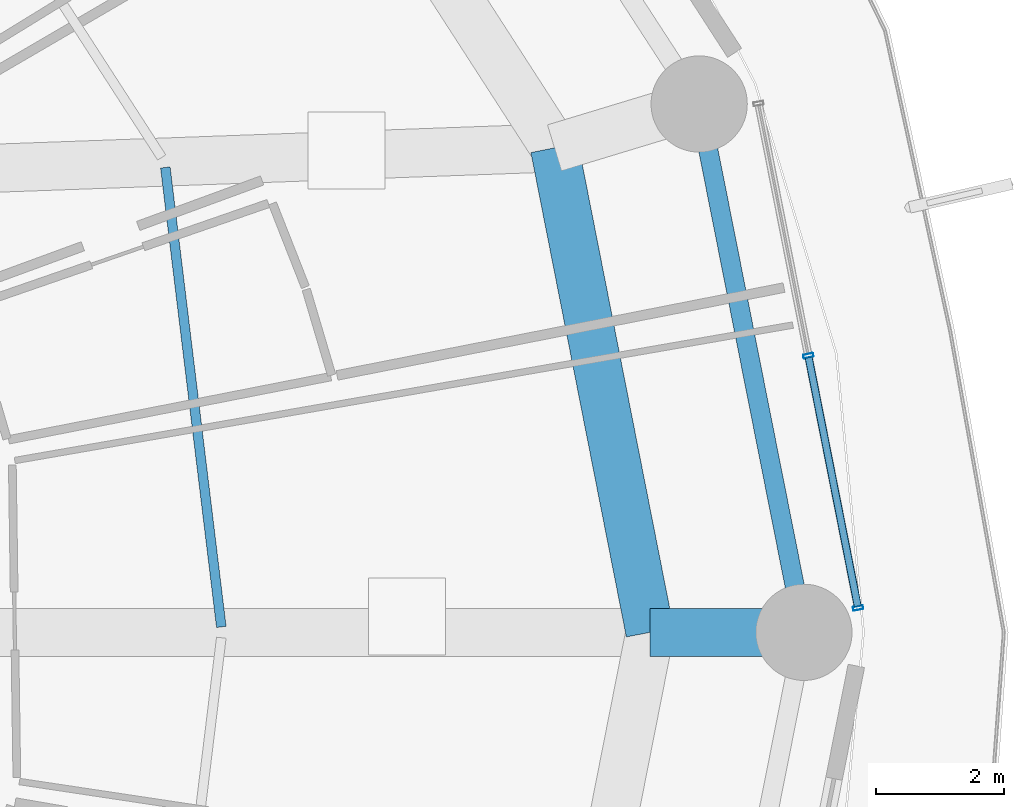
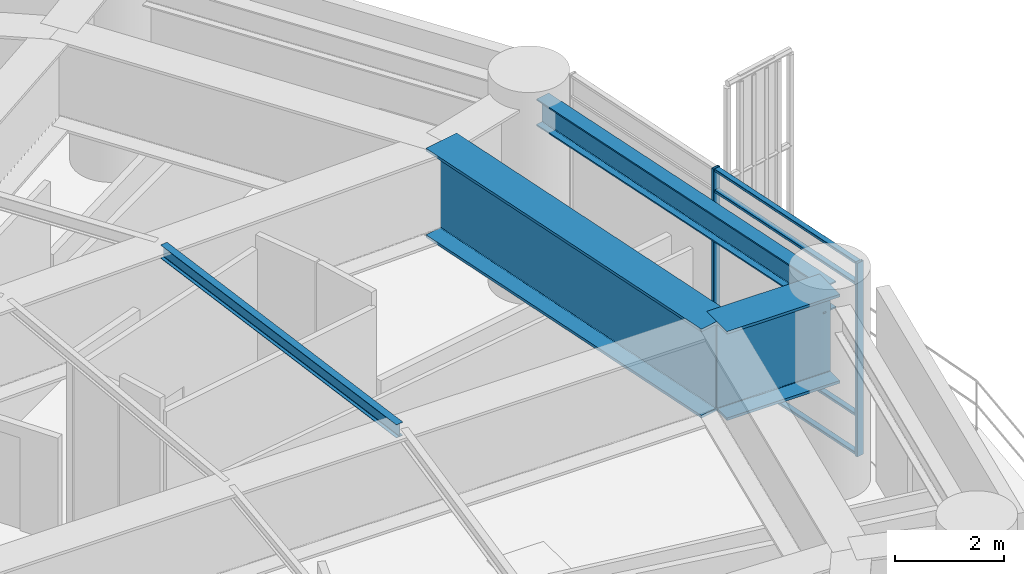
# One storey, part 13 of 31: 6 members, 4 beams, 1 element without a shape of its own.
"""IFC4 building model written with IfcOpenShell, lengths in metres."""

from ifc_helpers import new_model, si_unit, direction, frame, origin, origin_2d, place, context, subcontext, project, spatial, hollow_rectangle, i_section, extrude, material, layer, layer_set, material_profile, profile_set, type_object, element, aggregate, save


model = new_model("IFC4")

# Units and contexts
model_context = context("Model", 3, precision=1e-05, world=origin(), true_north=direction((0.0, 1.0)))
body_context = subcontext(model_context, "Body", "Model", "MODEL_VIEW")
ifc_project = project(units=[si_unit("LENGTHUNIT", "METRE"), si_unit("AREAUNIT", "SQUARE_METRE"), si_unit("VOLUMEUNIT", "CUBIC_METRE"), si_unit("PLANEANGLEUNIT", "RADIAN"), si_unit("MASSUNIT", "GRAM", prefix="KILO")], contexts=[model_context])

# Site, building, storey
site_placement = place(None, origin())
site = spatial("IfcSite", under=ifc_project, at=site_placement, CompositionType="ELEMENT")
building_placement = place(site_placement, origin())
building = spatial("IfcBuilding", under=site, at=building_placement, Name="Kelanora Arch Commons", CompositionType="ELEMENT")
storey_placement = place(building_placement, frame((0.0, 0.0, 67.5)))
storey = spatial("IfcBuildingStorey", under=building, at=storey_placement, Name="L17", CompositionType="ELEMENT", Elevation=67.5)

# Beams
ifc_material_1 = material(Name="Steel S355", Category="steel")
ifc_material_profile_1 = material_profile(ifc_material_1, i_section(OverallWidth=0.14990234375, OverallDepth=0.300048828125, WebThickness=0.007080078125, FlangeThickness=0.0107421875, FilletRadius=0.014892578125, at=origin_2d()), Name="IPE300")
ifc_profile_set_1 = profile_set([ifc_material_profile_1], Name="Steel S355")
beam_type_1 = type_object("IfcBeamType", Name="BM-JST-01", PredefinedType="JOIST", material=ifc_profile_set_1)
beam_1_placement = place(storey_placement, frame((91.997802734375, 58.08447265625, 4.2099609375), z_axis=(-0.120935645266, 0.992660349618, 0.0), x_axis=(-0.992660349618, -0.120935645266, 0.0)))
element("IfcBeam", 1, at=beam_1_placement, inside=storey, type_object=beam_type_1, Name="Secondary Chord Joist BJB-00 L17", PredefinedType="JOIST", context=body_context, shape_type="SweptSolid", body=[
    extrude(i_section(OverallWidth=0.14990234375, OverallDepth=0.300048828125, WebThickness=0.007080078125, FlangeThickness=0.0107421875, FilletRadius=0.014892578125, at=origin_2d()), origin(), (0.0, 0.0, 1.0), 7.215087890625),
])
ifc_material_profile_2 = material_profile(ifc_material_1, i_section(OverallWidth=0.300048828125, OverallDepth=0.60009765625, WebThickness=0.015380859375, FlangeThickness=0.030029296875, FilletRadius=0.027099609375, at=origin_2d()), Name="HEB600")
ifc_profile_set_2 = profile_set([ifc_material_profile_2], Name="Steel S355")
beam_type_2 = type_object("IfcBeamType", Name="BM-SPN-Z1", PredefinedType="SPANDREL", material=ifc_profile_set_2)
beam_2_placement = place(storey_placement, frame((101.080078125, 58.0, 4.06005859375), z_axis=(-0.194522790633, 0.980897998736, 0.0), x_axis=(-0.980897998736, -0.194522790633, 0.0)))
element("IfcBeam", 2, at=beam_2_placement, inside=storey, type_object=beam_type_2, Name="Perimeter Spandrel Beam BS-00 L17", PredefinedType="SPANDREL", context=body_context, shape_type="SweptSolid", body=[
    extrude(i_section(OverallWidth=0.300048828125, OverallDepth=0.60009765625, WebThickness=0.015380859375, FlangeThickness=0.030029296875, FilletRadius=0.027099609375, at=origin_2d()), origin(), (0.0, 0.0, 1.0), 8.01611328125),
])
ifc_material_profile_3 = material_profile(ifc_material_1, i_section(OverallWidth=0.75, OverallDepth=2.0, WebThickness=0.034912109375, FlangeThickness=0.06005859375, FilletRadius=0.028076171875, at=origin_2d()), Name="PG2000x750")
ifc_profile_set_3 = profile_set([ifc_material_profile_3], Name="Steel S355")
beam_type_3 = type_object("IfcBeamType", Name="BM-XFER-SET", PredefinedType="USERDEFINED", material=ifc_profile_set_3)
beam_3_placement = place(storey_placement, frame((98.679931640625, 58.0, 3.360107421875), z_axis=(1.0, 0.0, 0.0), x_axis=(0.0, 1.0, 0.0)))
element("IfcBeam", 3, at=beam_3_placement, inside=storey, type_object=beam_type_3, Name="Radial Floor Girder BR-00 L17", ObjectType="TRANSFER_GIRDER", PredefinedType="USERDEFINED", context=body_context, shape_type="SweptSolid", body=[
    extrude(i_section(OverallWidth=0.75, OverallDepth=2.0, WebThickness=0.034912109375, FlangeThickness=0.06005859375, FilletRadius=0.028076171875, at=origin_2d()), origin(), (0.0, 0.0, 1.0), 2.400146484375),
])
beam_4_placement = place(storey_placement, frame((98.679931640625, 58.0, 3.360107421875), z_axis=(-0.19335825777, 0.981128220037, 0.0), x_axis=(-0.981128220037, -0.19335825777, 0.0)))
element("IfcBeam", 4, at=beam_4_placement, inside=storey, type_object=beam_type_3, Name="Setback Inner Transfer Ring BSI-00 L17", ObjectType="TRANSFER_GIRDER", PredefinedType="USERDEFINED", context=body_context, shape_type="SweptSolid", body=[
    extrude(i_section(OverallWidth=0.75, OverallDepth=2.0, WebThickness=0.034912109375, FlangeThickness=0.06005859375, FilletRadius=0.028076171875, at=origin_2d()), origin(), (0.0, 0.0, 1.0), 7.697021484375),
])

# Curtain wall, members
ifc_material_2 = material(Name="Terracotta ceramic-fritted low-E glass and aluminium", Category="masonry")
ifc_layer = layer(ifc_material_2, 0.159912109375)
ifc_layer_set = layer_set([ifc_layer], Name="Terracotta ceramic-fritted low-E glass and aluminium")
curtain_wall_type = type_object("IfcCurtainWallType", Name="CW-SYS-01", PredefinedType="NOTDEFINED", material=ifc_layer_set)
curtain_wall_placement = place(storey_placement, origin())
curtain_wall = element("IfcCurtainWall", 5, at=curtain_wall_placement, inside=storey, type_object=curtain_wall_type, Name="Unitised Curtain Wall L17-B00", PredefinedType="NOTDEFINED")
ifc_material_3 = material(Name="Powder-coated aluminium terracotta", Category="masonry")
ifc_material_profile_4 = material_profile(ifc_material_3, hollow_rectangle(XDim=0.159912109375, YDim=0.06005859375, WallThickness=0.0048828125, InnerFilletRadius=0.0048828125, OuterFilletRadius=0.010009765625, at=origin_2d()), Name="CWM160x60")
ifc_profile_set_4 = profile_set([ifc_material_profile_4], Name="Powder-coated aluminium terracotta")
member_type_1 = type_object("IfcMemberType", Name="CWM-STD", PredefinedType="MULLION", material=ifc_profile_set_4)
member_1_placement = place(storey_placement, frame((101.925048828125, 58.379150390625, 0.0), z_axis=(0.0, 0.0, 1.0), x_axis=(-0.981052110579, -0.193744048498, 0.0)))
member_1 = element("IfcMember", 6, at=member_1_placement, type_object=member_type_1, Name="CW-01 mullion 1", PredefinedType="MULLION", context=body_context, shape_type="SweptSolid", body=[
    extrude(hollow_rectangle(XDim=0.159912109375, YDim=0.06005859375, WallThickness=0.0048828125, InnerFilletRadius=0.0048828125, OuterFilletRadius=0.010009765625, at=origin_2d()), origin(), (0.0, 0.0, 1.0), 4.344970703125),
])
member_2_placement = place(storey_placement, frame((101.1484375, 62.3115234375, 0.0), z_axis=(0.0, 0.0, 1.0), x_axis=(-0.981052110579, -0.193744048498, 0.0)))
member_2 = element("IfcMember", 7, at=member_2_placement, type_object=member_type_1, Name="CW-01 mullion 2", PredefinedType="MULLION", context=body_context, shape_type="SweptSolid", body=[
    extrude(hollow_rectangle(XDim=0.159912109375, YDim=0.06005859375, WallThickness=0.0048828125, InnerFilletRadius=0.0048828125, OuterFilletRadius=0.010009765625, at=origin_2d()), origin(), (0.0, 0.0, 1.0), 4.344970703125),
])
ifc_material_profile_5 = material_profile(ifc_material_3, hollow_rectangle(XDim=0.1201171875, YDim=0.06005859375, WallThickness=0.0048828125, InnerFilletRadius=0.0048828125, OuterFilletRadius=0.010009765625, at=origin_2d()), Name="CWT120x60")
ifc_profile_set_5 = profile_set([ifc_material_profile_5], Name="Powder-coated aluminium terracotta")
member_type_2 = type_object("IfcMemberType", Name="CWT-STD", PredefinedType="USERDEFINED", material=ifc_profile_set_5)
member_3_placement = place(storey_placement, frame((101.919189453125, 58.408447265625, 0.030029296875), z_axis=(-0.193725436624, 0.98105578598, 0.0), x_axis=(-0.98105578598, -0.193725436624, 0.0)))
member_3 = element("IfcMember", 8, at=member_3_placement, type_object=member_type_2, Name="CW-01 transom 1.1", ObjectType="TRANSOM", PredefinedType="USERDEFINED", context=body_context, shape_type="SweptSolid", body=[
    extrude(hollow_rectangle(XDim=0.1201171875, YDim=0.06005859375, WallThickness=0.0048828125, InnerFilletRadius=0.0048828125, OuterFilletRadius=0.010009765625, at=origin_2d()), origin(), (0.0, 0.0, 1.0), 3.9482421875),
])
member_4_placement = place(storey_placement, frame((101.919189453125, 58.408447265625, 0.89990234375), z_axis=(-0.193725436624, 0.98105578598, 0.0), x_axis=(-0.98105578598, -0.193725436624, 0.0)))
member_4 = element("IfcMember", 9, at=member_4_placement, type_object=member_type_2, Name="CW-01 transom 1.2", ObjectType="TRANSOM", PredefinedType="USERDEFINED", context=body_context, shape_type="SweptSolid", body=[
    extrude(hollow_rectangle(XDim=0.1201171875, YDim=0.06005859375, WallThickness=0.0048828125, InnerFilletRadius=0.0048828125, OuterFilletRadius=0.010009765625, at=origin_2d()), origin(), (0.0, 0.0, 1.0), 3.9482421875),
])
member_5_placement = place(storey_placement, frame((101.919189453125, 58.408447265625, 3.844970703125), z_axis=(-0.193725436624, 0.98105578598, 0.0), x_axis=(-0.98105578598, -0.193725436624, 0.0)))
member_5 = element("IfcMember", 10, at=member_5_placement, type_object=member_type_2, Name="CW-01 transom 1.3", ObjectType="TRANSOM", PredefinedType="USERDEFINED", context=body_context, shape_type="SweptSolid", body=[
    extrude(hollow_rectangle(XDim=0.1201171875, YDim=0.06005859375, WallThickness=0.0048828125, InnerFilletRadius=0.0048828125, OuterFilletRadius=0.010009765625, at=origin_2d()), origin(), (0.0, 0.0, 1.0), 3.9482421875),
])
member_6_placement = place(storey_placement, frame((101.919189453125, 58.408447265625, 4.31494140625), z_axis=(-0.193725436624, 0.98105578598, 0.0), x_axis=(-0.98105578598, -0.193725436624, 0.0)))
member_6 = element("IfcMember", 11, at=member_6_placement, type_object=member_type_2, Name="CW-01 transom 1.4", ObjectType="TRANSOM", PredefinedType="USERDEFINED", context=body_context, shape_type="SweptSolid", body=[
    extrude(hollow_rectangle(XDim=0.1201171875, YDim=0.06005859375, WallThickness=0.0048828125, InnerFilletRadius=0.0048828125, OuterFilletRadius=0.010009765625, at=origin_2d()), origin(), (0.0, 0.0, 1.0), 3.9482421875),
])
aggregate(curtain_wall, [member_1, member_2, member_3, member_4, member_5, member_6])

save(model, "model.ifc")
